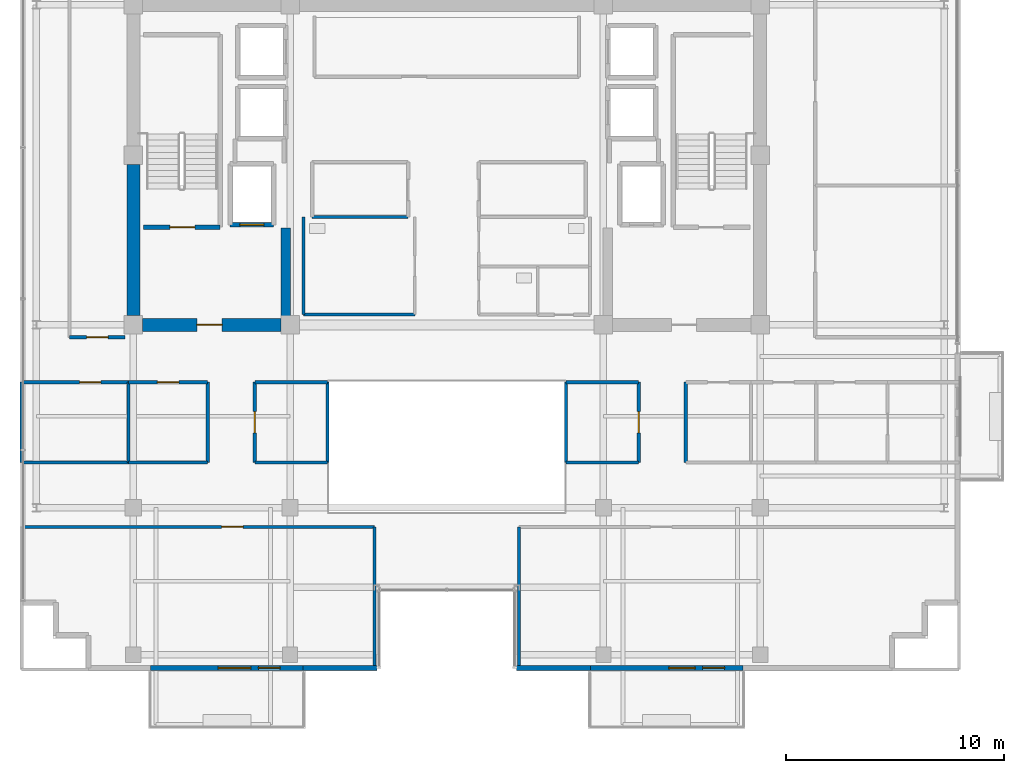
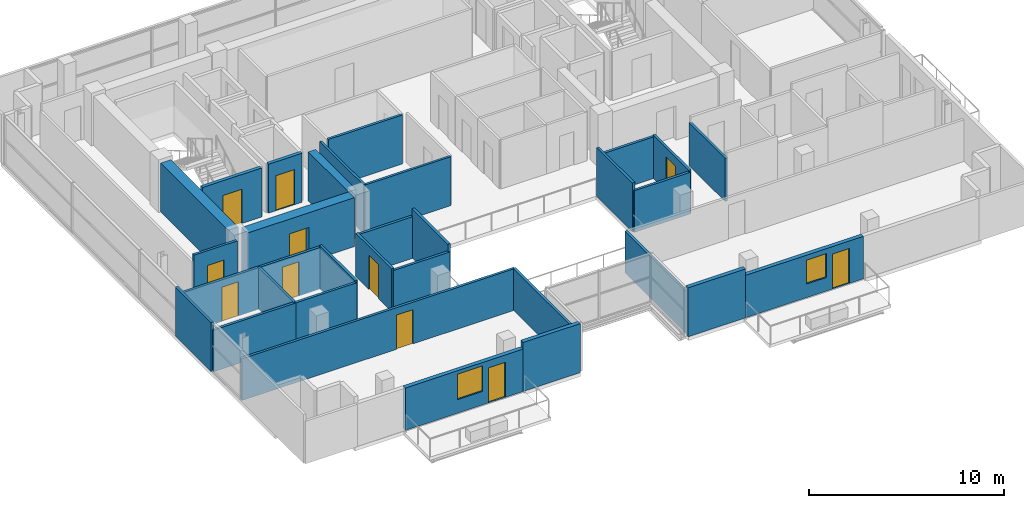
# One storey, part 15 of 22: 32 walls, 11 doors, 2 windows, 13 openings.
"""IFC4 building model written with IfcOpenShell, lengths in metres."""

from ifc_helpers import new_model, si_unit, direction, frame, frame_2d, origin, place, context, subcontext, project, spatial, rectangle, extrude, source, transform, mapped, material, layer, layer_set, type_object, element, fill, save


model = new_model("IFC4")

# Units and contexts
model_context = context("Model", 3, precision=1e-05, world=origin(), true_north=direction((0.0, 1.0)))
body_context = subcontext(model_context, "Body", "Model", "MODEL_VIEW")
ifc_project = project(units=[si_unit("LENGTHUNIT", "METRE"), si_unit("AREAUNIT", "SQUARE_METRE"), si_unit("VOLUMEUNIT", "CUBIC_METRE"), si_unit("PLANEANGLEUNIT", "RADIAN"), si_unit("MASSUNIT", "GRAM", prefix="KILO")], contexts=[model_context])

# Site, building, storey
site_placement = place(None, origin())
site = spatial("IfcSite", under=ifc_project, at=site_placement, CompositionType="ELEMENT")
building_placement = place(site_placement, origin())
building = spatial("IfcBuilding", under=site, at=building_placement, Name="Zarnakvel Exchange Tower", CompositionType="ELEMENT")
storey_placement = place(building_placement, frame((0.0, 0.0, 251.800048828125)))
storey = spatial("IfcBuildingStorey", under=building, at=storey_placement, Name="L71", CompositionType="ELEMENT", Elevation=251.800048828125)

# Wall
ifc_material_1 = material(Name="Concrete C50/60", Category="concrete")
ifc_layer_1 = layer(ifc_material_1, 0.60009765625)
ifc_layer_set_1 = layer_set([ifc_layer_1], Name="Concrete C50/60")
wall_type_1 = type_object("IfcWallType", Name="CW-C5", PredefinedType="SHEAR", material=ifc_layer_set_1)
wall_1_placement = place(storey_placement, frame((-14.39990234375, -0.77490234375, 0.0), z_axis=(0.0, 0.0, 1.0), x_axis=(0.0, 1.0, 0.0)))
element("IfcWall", 1, at=wall_1_placement, inside=storey, type_object=wall_type_1, Name="L71 Rear Core Shear Wall W1 (CW-C5)", PredefinedType="SHEAR", context=body_context, shape_type="SweptSolid", body=[
    extrude(rectangle(XDim=6.949951171875, YDim=0.60009765625, at=frame_2d((3.47509765625, 0.0))), origin(), (0.0, 0.0, 1.0), 3.074951171875),
])

# Wall, opening, door
wall_2_placement = place(storey_placement, frame((-7.625, -1.199951171875, 0.0), z_axis=(0.0, 0.0, 1.0), x_axis=(-1.0, 0.0, 0.0)))
wall_2 = element("IfcWall", 2, at=wall_2_placement, inside=storey, type_object=wall_type_1, Name="L71 Rear Core Shear Wall SW (CW-C5)", PredefinedType="SHEAR", context=body_context, shape_type="SweptSolid", body=[
    extrude(rectangle(XDim=6.35009765625, YDim=0.60009765625, at=frame_2d((3.175048828125, 0.0))), origin(), (0.0, 0.0, 1.0), 3.074951171875),
])
opening_1_placement = place(wall_2_placement, frame((2.699951171875, 0.0, 0.0)))
opening_1 = element("IfcOpeningElement", 3, at=opening_1_placement, cuts=wall_2, Name="Opening D-L71-03", PredefinedType="OPENING", context=body_context, shape_type="SweptSolid", body=[
    extrude(rectangle(XDim=1.14990234375, YDim=2.14990234375, at=frame_2d((0.574951171875, 1.074951171875))), frame((0.0, 0.31005859375, 0.0), z_axis=(0.0, -1.0, 0.0), x_axis=(1.0, 0.0, 0.0)), (0.0, 0.0, 1.0), 0.6201171875),
])
ifc_material_2 = material(Name="Painted Galvanised Steel S355", Category="steel")
door_type_1 = type_object("IfcDoorType", Name="DT-04", OperationType="NOTDEFINED", PredefinedType="DOOR", material=ifc_material_2)
shared_shape_1 = source(origin(), body_context, "Body", "SweptSolid", [
    extrude(rectangle(XDim=1.14990234375, YDim=2.14990234375, at=frame_2d((0.574951171875, 1.074951171875))), frame((0.0, 0.02490234375, 0.0), z_axis=(0.0, -1.0, 0.0), x_axis=(1.0, 0.0, 0.0)), (0.0, 0.0, 1.0), 0.050048828125),
])
door_1_placement = place(opening_1_placement, origin())
door_1 = element("IfcDoor", 4, at=door_1_placement, inside=storey, type_object=door_type_1, Name="L71 Firefighting Lobby West Door D-L71-03", OperationType="SINGLE_SWING_LEFT", OverallHeight=2.14990234375, OverallWidth=1.14990234375, PredefinedType="DOOR", context=body_context, shape_type="MappedRepresentation", body=[
    mapped(shared_shape_1, transform((0.0, 0.0, 0.0), x_axis=(1.0, 0.0, 0.0), y_axis=(0.0, 1.0, 0.0), z_axis=(0.0, 0.0, 1.0), scale=1.0)),
])
fill(opening_1, door_1)

# Wall
ifc_layer_2 = layer(ifc_material_1, 0.449951171875)
ifc_layer_set_2 = layer_set([ifc_layer_2], Name="Concrete C50/60")
wall_type_2 = type_object("IfcWallType", Name="CW-C6", PredefinedType="SHEAR", material=ifc_layer_set_2)
wall_3_placement = place(storey_placement, frame((-7.39990234375, -0.89990234375, 0.0), z_axis=(0.0, 0.0, 1.0), x_axis=(0.0, 1.0, 0.0)))
element("IfcWall", 5, at=wall_3_placement, inside=storey, type_object=wall_type_2, Name="L71 Rear Core Shear Wall IW (CW-C6)", PredefinedType="SHEAR", context=body_context, shape_type="SweptSolid", body=[
    extrude(rectangle(XDim=4.14990234375, YDim=0.449951171875, at=frame_2d((2.074951171875, 0.0))), origin(), (0.0, 0.0, 1.0), 3.074951171875),
])

# Wall, openings, door, window
ifc_material_3 = material(Name="Precast concrete C40/50", Category="concrete")
ifc_layer_3 = layer(ifc_material_3, 0.239990234375)
ifc_layer_set_3 = layer_set([ifc_layer_3], Name="Precast concrete C40/50")
wall_type_3 = type_object("IfcWallType", Name="EW-02", PredefinedType="SOLIDWALL", material=ifc_layer_set_3)
wall_4_placement = place(storey_placement, frame((-6.60009765625, -16.9599609375, 0.0), z_axis=(0.0, 0.0, 1.0), x_axis=(-1.0, 0.0, 0.0)))
wall_4 = element("IfcWall", 6, at=wall_4_placement, inside=storey, type_object=wall_type_3, Name="L71 Exterior Precast Spandrel Wall EW-BAL-L71-SW (EW-02)", PredefinedType="SOLIDWALL", context=body_context, shape_type="SweptSolid", body=[
    extrude(rectangle(XDim=7.0, YDim=0.239990234375, at=frame_2d((3.5, 0.0))), origin(), (0.0, 0.0, 1.0), 2.6650390625),
])
opening_2_placement = place(wall_4_placement, frame((1.050048828125, 0.0, 0.0)))
opening_2 = element("IfcOpeningElement", 7, at=opening_2_placement, cuts=wall_4, Name="Opening BD-L71-01", PredefinedType="OPENING", context=body_context, shape_type="SweptSolid", body=[
    extrude(rectangle(XDim=1.0, YDim=2.199951171875, at=frame_2d((0.5, 1.10009765625))), frame((0.0, 0.1298828125, 0.0), z_axis=(0.0, -1.0, 0.0), x_axis=(1.0, 0.0, 0.0)), (0.0, 0.0, 1.0), 0.260009765625),
])
opening_3_placement = place(wall_4_placement, frame((2.39990234375, 0.0, 0.85009765625)))
opening_3 = element("IfcOpeningElement", 8, at=opening_3_placement, cuts=wall_4, Name="Opening WN-03", PredefinedType="OPENING", context=body_context, shape_type="SweptSolid", body=[
    extrude(rectangle(XDim=1.5, YDim=1.60009765625, at=frame_2d((0.75, 0.800048828125))), frame((0.0, 0.1298828125, 0.0), z_axis=(0.0, -1.0, 0.0), x_axis=(1.0, 0.0, 0.0)), (0.0, 0.0, 1.0), 0.260009765625),
])
ifc_material_4 = material(Name="Architectural Bronze Anodised Aluminium", Category="aluminium")
door_type_2 = type_object("IfcDoorType", Name="DT-09", OperationType="NOTDEFINED", PredefinedType="DOOR", material=ifc_material_4)
shared_shape_2 = source(origin(), body_context, "Body", "SweptSolid", [
    extrude(rectangle(XDim=1.0, YDim=2.199951171875, at=frame_2d((0.5, 1.10009765625))), frame((0.0, 0.02490234375, 0.0), z_axis=(0.0, -1.0, 0.0), x_axis=(1.0, 0.0, 0.0)), (0.0, 0.0, 1.0), 0.050048828125),
])
door_2_placement = place(opening_2_placement, origin())
door_2 = element("IfcDoor", 9, at=door_2_placement, inside=storey, type_object=door_type_2, Name="L71 Planted Loggia Balcony Door BD-L71-01", OperationType="SINGLE_SWING_LEFT", OverallHeight=2.199951171875, OverallWidth=1.0, PredefinedType="DOOR", context=body_context, shape_type="MappedRepresentation", body=[
    mapped(shared_shape_2, transform((0.0, 0.0, 0.0), x_axis=(1.0, 0.0, 0.0), y_axis=(0.0, 1.0, 0.0), z_axis=(0.0, 0.0, 1.0), scale=1.0)),
])
fill(opening_2, door_2)
ifc_material_5 = material(Name="Double Low-E Laminated Vision Glass", Category="glass")
window_type_1 = type_object("IfcWindowType", Name="WN-03", PartitioningType="SINGLE_PANEL", PredefinedType="WINDOW", material=ifc_material_5)
shared_shape_3 = source(origin(), body_context, "Body", "SweptSolid", [
    extrude(rectangle(XDim=1.5, YDim=1.60009765625, at=frame_2d((0.75, 0.800048828125))), frame((0.0, 0.030029296875, 0.0), z_axis=(0.0, -1.0, 0.0), x_axis=(1.0, 0.0, 0.0)), (0.0, 0.0, 1.0), 0.06005859375),
])
window_1_placement = place(opening_3_placement, origin())
window_1 = element("IfcWindow", 10, at=window_1_placement, inside=storey, type_object=window_type_1, Name="L71 Loggia Daylight Window (WN-03)", OverallHeight=1.60009765625, OverallWidth=1.5, PartitioningType="SINGLE_PANEL", PredefinedType="WINDOW", context=body_context, shape_type="MappedRepresentation", body=[
    mapped(shared_shape_3, transform((0.0, 0.0, 0.0), x_axis=(1.0, 0.0, 0.0), y_axis=(0.0, 1.0, 0.0), z_axis=(0.0, 0.0, 1.0), scale=1.0)),
])
fill(opening_3, window_1)

wall_5_placement = place(storey_placement, frame((13.60009765625, -16.9599609375, 0.0), z_axis=(0.0, 0.0, 1.0), x_axis=(-1.0, 0.0, 0.0)))
wall_5 = element("IfcWall", 11, at=wall_5_placement, inside=storey, type_object=wall_type_3, Name="L71 Exterior Precast Spandrel Wall EW-BAL-L71-SE (EW-02)", PredefinedType="SOLIDWALL", context=body_context, shape_type="SweptSolid", body=[
    extrude(rectangle(XDim=7.0, YDim=0.239990234375, at=frame_2d((3.5, 0.0))), origin(), (0.0, 0.0, 1.0), 2.6650390625),
])
opening_4_placement = place(wall_5_placement, frame((0.840087890625, 0.0, 0.0)))
opening_4 = element("IfcOpeningElement", 12, at=opening_4_placement, cuts=wall_5, Name="Opening BD-L71-02", PredefinedType="OPENING", context=body_context, shape_type="SweptSolid", body=[
    extrude(rectangle(XDim=1.0, YDim=2.199951171875, at=frame_2d((0.5, 1.10009765625))), frame((0.0, 0.1298828125, 0.0), z_axis=(0.0, -1.0, 0.0), x_axis=(1.0, 0.0, 0.0)), (0.0, 0.0, 1.0), 0.260009765625),
])
opening_5_placement = place(wall_5_placement, frame((2.18994140625, 0.0, 0.85009765625)))
opening_5 = element("IfcOpeningElement", 13, at=opening_5_placement, cuts=wall_5, Name="Opening WN-04", PredefinedType="OPENING", context=body_context, shape_type="SweptSolid", body=[
    extrude(rectangle(XDim=1.199951171875, YDim=1.5, at=frame_2d((0.60009765625, 0.75))), frame((0.0, 0.1298828125, 0.0), z_axis=(0.0, -1.0, 0.0), x_axis=(1.0, 0.0, 0.0)), (0.0, 0.0, 1.0), 0.260009765625),
])
door_3_placement = place(opening_4_placement, origin())
door_3 = element("IfcDoor", 14, at=door_3_placement, inside=storey, type_object=door_type_2, Name="L71 Planted Loggia Balcony Door BD-L71-02", OperationType="SINGLE_SWING_RIGHT", OverallHeight=2.199951171875, OverallWidth=1.0, PredefinedType="DOOR", context=body_context, shape_type="MappedRepresentation", body=[
    mapped(shared_shape_2, transform((0.0, 0.0, 0.0), x_axis=(1.0, 0.0, 0.0), y_axis=(0.0, 1.0, 0.0), z_axis=(0.0, 0.0, 1.0), scale=1.0)),
])
fill(opening_4, door_3)
window_type_2 = type_object("IfcWindowType", Name="WN-04", PartitioningType="SINGLE_PANEL", PredefinedType="WINDOW", material=ifc_material_5)
shared_shape_4 = source(origin(), body_context, "Body", "SweptSolid", [
    extrude(rectangle(XDim=1.199951171875, YDim=1.5, at=frame_2d((0.60009765625, 0.75))), frame((0.0, 0.030029296875, 0.0), z_axis=(0.0, -1.0, 0.0), x_axis=(1.0, 0.0, 0.0)), (0.0, 0.0, 1.0), 0.06005859375),
])
window_2_placement = place(opening_5_placement, origin())
window_2 = element("IfcWindow", 15, at=window_2_placement, inside=storey, type_object=window_type_2, Name="L71 Loggia Daylight Window (WN-04)", OverallHeight=1.5, OverallWidth=1.199951171875, PartitioningType="SINGLE_PANEL", PredefinedType="WINDOW", context=body_context, shape_type="MappedRepresentation", body=[
    mapped(shared_shape_4, transform((0.0, 0.0, 0.0), x_axis=(1.0, 0.0, 0.0), y_axis=(0.0, 1.0, 0.0), z_axis=(0.0, 0.0, 1.0), scale=1.0)),
])
fill(opening_5, window_2)

# Walls
for number, where, z_axis, x_axis, name in (
    (16, (3.199951171875, -16.9599609375, 0.0), (0.0, 0.0, 1.0), (1.0, 0.0, 0.0), "L71 Exterior Precast Spandrel Wall EWC-L71-16 (EW-02)"),
    (17, (-6.60009765625, -16.9599609375, 0.0), (0.0, 0.0, 1.0), (1.0, 0.0, 0.0), "L71 Exterior Precast Spandrel Wall EWC-L71-21 (EW-02)"),
):
    element("IfcWall", number, at=place(storey_placement, frame(where, z_axis=z_axis, x_axis=x_axis)), inside=storey, type_object=wall_type_3, Name=name, PredefinedType="SOLIDWALL", context=body_context, shape_type="SweptSolid", body=[
        extrude(rectangle(XDim=3.400146484375, YDim=0.239990234375, at=frame_2d((1.7001953125, 0.0))), origin(), (0.0, 0.0, 1.0), 3.074951171875),
    ])
ifc_material_6 = material(Name="Fire-Rated Gypsum Stud Partition", Category="gypsum")
ifc_layer_4 = layer(ifc_material_6, 0.14990234375)
ifc_layer_set_4 = layer_set([ifc_layer_4], Name="Fire-Rated Gypsum Stud Partition")
wall_type_4 = type_object("IfcWallType", Name="PT-01", PredefinedType="PARTITIONING", material=ifc_layer_set_4)
wall_6_placement = place(storey_placement, frame((-1.77001953125, 3.760009765625, 0.0), z_axis=(0.0, 0.0, 1.0), x_axis=(-1.0, 0.0, 0.0)))
element("IfcWall", 18, at=wall_6_placement, inside=storey, type_object=wall_type_4, Name="L71 Partition Wall PWALL-L71-014 (PT-01)", PredefinedType="PARTITIONING", context=body_context, shape_type="SweptSolid", body=[
    extrude(rectangle(XDim=4.409912109375, YDim=0.14990234375, at=frame_2d((2.205078125, 0.0))), origin(), (0.0, 0.0, 1.0), 3.074951171875),
])
wall_7_placement = place(storey_placement, frame((-14.621826171875, -7.52001953125, 0.0), z_axis=(0.0, 0.0, 1.0), x_axis=(-1.0, 0.0, 0.0)))
element("IfcWall", 19, at=wall_7_placement, inside=storey, type_object=wall_type_4, Name="L71 Partition Wall PWALL-L71-033 (PT-01)", PredefinedType="PARTITIONING", context=body_context, shape_type="SweptSolid", body=[
    extrude(rectangle(XDim=4.908203125, YDim=0.14990234375, at=frame_2d((2.4541015625, 0.0))), origin(), (0.0, 0.0, 1.0), 2.614990234375),
])

# Wall, opening, door
wall_8_placement = place(storey_placement, frame((-19.530029296875, -3.830078125, 0.0), z_axis=(0.0, 0.0, 1.0), x_axis=(1.0, 0.0, 0.0)))
wall_8 = element("IfcWall", 20, at=wall_8_placement, inside=storey, type_object=wall_type_4, Name="L71 Partition Wall PWALL-L71-034 (PT-01)", PredefinedType="PARTITIONING", context=body_context, shape_type="SweptSolid", body=[
    extrude(rectangle(XDim=4.908203125, YDim=0.14990234375, at=frame_2d((2.4541015625, 0.0))), origin(), (0.0, 0.0, 1.0), 2.614990234375),
])
opening_6_placement = place(wall_8_placement, frame((2.6640625, 0.0, 0.0)))
opening_6 = element("IfcOpeningElement", 21, at=opening_6_placement, cuts=wall_8, Name="Opening D-L71-12", PredefinedType="OPENING", context=body_context, shape_type="SweptSolid", body=[
    extrude(rectangle(XDim=0.97998046875, YDim=2.14990234375, at=frame_2d((0.489990234375, 1.074951171875))), frame((0.0, 0.0849609375, 0.0), z_axis=(0.0, -1.0, 0.0), x_axis=(1.0, 0.0, 0.0)), (0.0, 0.0, 1.0), 0.169921875),
])
ifc_material_7 = material(Name="Timber Acoustic Veneer", Category="wood")
door_type_3 = type_object("IfcDoorType", Name="DT-05", OperationType="NOTDEFINED", PredefinedType="DOOR", material=ifc_material_7)
shared_shape_5 = source(origin(), body_context, "Body", "SweptSolid", [
    extrude(rectangle(XDim=0.97998046875, YDim=2.14990234375, at=frame_2d((0.489990234375, 1.074951171875))), frame((0.0, 0.02490234375, 0.0), z_axis=(0.0, -1.0, 0.0), x_axis=(1.0, 0.0, 0.0)), (0.0, 0.0, 1.0), 0.050048828125),
])
door_4_placement = place(opening_6_placement, origin())
door_4 = element("IfcDoor", 22, at=door_4_placement, inside=storey, type_object=door_type_3, Name="L71 Sovereign Wealth Office Door D-L71-12", OperationType="SINGLE_SWING_RIGHT", OverallHeight=2.14990234375, OverallWidth=0.97998046875, PredefinedType="DOOR", context=body_context, shape_type="MappedRepresentation", body=[
    mapped(shared_shape_5, transform((0.0, 0.0, 0.0), x_axis=(1.0, 0.0, 0.0), y_axis=(0.0, 1.0, 0.0), z_axis=(0.0, 0.0, 1.0), scale=1.0)),
])
fill(opening_6, door_4)

# Walls
wall_9_placement = place(storey_placement, frame((-19.530029296875, -7.52001953125, 0.0), z_axis=(0.0, 0.0, 1.0), x_axis=(0.0, 1.0, 0.0)))
element("IfcWall", 23, at=wall_9_placement, inside=storey, type_object=wall_type_4, Name="L71 Partition Wall PWALL-L71-035 (PT-01)", PredefinedType="PARTITIONING", context=body_context, shape_type="SweptSolid", body=[
    extrude(rectangle(XDim=3.68994140625, YDim=0.14990234375, at=frame_2d((1.844970703125, 0.0))), origin(), (0.0, 0.0, 1.0), 3.074951171875),
])
wall_10_placement = place(storey_placement, frame((-14.621826171875, -3.830078125, 0.0), z_axis=(0.0, 0.0, 1.0), x_axis=(0.0, -1.0, 0.0)))
element("IfcWall", 24, at=wall_10_placement, inside=storey, type_object=wall_type_4, Name="L71 Partition Wall PWALL-L71-036 (PT-01)", PredefinedType="PARTITIONING", context=body_context, shape_type="SweptSolid", body=[
    extrude(rectangle(XDim=3.68994140625, YDim=0.14990234375, at=frame_2d((1.844970703125, 0.0))), origin(), (0.0, 0.0, 1.0), 2.614990234375),
])
wall_11_placement = place(storey_placement, frame((-10.97998046875, -7.52001953125, 0.0), z_axis=(0.0, 0.0, 1.0), x_axis=(-1.0, 0.0, 0.0)))
element("IfcWall", 25, at=wall_11_placement, inside=storey, type_object=wall_type_4, Name="L71 Partition Wall PWALL-L71-037 (PT-01)", PredefinedType="PARTITIONING", context=body_context, shape_type="SweptSolid", body=[
    extrude(rectangle(XDim=3.641845703125, YDim=0.14990234375, at=frame_2d((1.82080078125, 0.0))), origin(), (0.0, 0.0, 1.0), 2.614990234375),
])

# Wall, opening, door
wall_12_placement = place(storey_placement, frame((-14.621826171875, -3.830078125, 0.0), z_axis=(0.0, 0.0, 1.0), x_axis=(1.0, 0.0, 0.0)))
wall_12 = element("IfcWall", 26, at=wall_12_placement, inside=storey, type_object=wall_type_4, Name="L71 Partition Wall PWALL-L71-038 (PT-01)", PredefinedType="PARTITIONING", context=body_context, shape_type="SweptSolid", body=[
    extrude(rectangle(XDim=3.641845703125, YDim=0.14990234375, at=frame_2d((1.82080078125, 0.0))), origin(), (0.0, 0.0, 1.0), 2.614990234375),
])
opening_7_placement = place(wall_12_placement, frame((1.330810546875, 0.0, 0.0)))
opening_7 = element("IfcOpeningElement", 27, at=opening_7_placement, cuts=wall_12, Name="Opening D-L71-13", PredefinedType="OPENING", context=body_context, shape_type="SweptSolid", body=[
    extrude(rectangle(XDim=0.97998046875, YDim=2.14990234375, at=frame_2d((0.489990234375, 1.074951171875))), frame((0.0, 0.0849609375, 0.0), z_axis=(0.0, -1.0, 0.0), x_axis=(1.0, 0.0, 0.0)), (0.0, 0.0, 1.0), 0.169921875),
])
door_5_placement = place(opening_7_placement, origin())
door_5 = element("IfcDoor", 28, at=door_5_placement, inside=storey, type_object=door_type_3, Name="L71 Corporate Advisory Suite Door D-L71-13", OperationType="SINGLE_SWING_LEFT", OverallHeight=2.14990234375, OverallWidth=0.97998046875, PredefinedType="DOOR", context=body_context, shape_type="MappedRepresentation", body=[
    mapped(shared_shape_5, transform((0.0, 0.0, 0.0), x_axis=(1.0, 0.0, 0.0), y_axis=(0.0, 1.0, 0.0), z_axis=(0.0, 0.0, 1.0), scale=1.0)),
])
fill(opening_7, door_5)

# Wall
wall_13_placement = place(storey_placement, frame((-10.97998046875, -3.830078125, 0.0), z_axis=(0.0, 0.0, 1.0), x_axis=(0.0, -1.0, 0.0)))
element("IfcWall", 29, at=wall_13_placement, inside=storey, type_object=wall_type_4, Name="L71 Partition Wall PWALL-L71-039 (PT-01)", PredefinedType="PARTITIONING", context=body_context, shape_type="SweptSolid", body=[
    extrude(rectangle(XDim=3.68994140625, YDim=0.14990234375, at=frame_2d((1.844970703125, 0.0))), origin(), (0.0, 0.0, 1.0), 2.704833984375),
])

# Wall, opening, door
wall_14_placement = place(storey_placement, frame((-19.530029296875, -10.47998046875, 0.0), z_axis=(0.0, 0.0, 1.0), x_axis=(1.0, 0.0, 0.0)))
wall_14 = element("IfcWall", 30, at=wall_14_placement, inside=storey, type_object=wall_type_4, Name="L71 Partition Wall PWALL-L71-041 (PT-01)", PredefinedType="PARTITIONING", context=body_context, shape_type="SweptSolid", body=[
    extrude(rectangle(XDim=16.2099609375, YDim=0.14990234375, at=frame_2d((8.10498046875, 0.0))), origin(), (0.0, 0.0, 1.0), 2.614990234375),
])
opening_8_placement = place(wall_14_placement, frame((9.18994140625, 0.0, 0.0)))
opening_8 = element("IfcOpeningElement", 31, at=opening_8_placement, cuts=wall_14, Name="Opening D-L71-14", PredefinedType="OPENING", context=body_context, shape_type="SweptSolid", body=[
    extrude(rectangle(XDim=0.97998046875, YDim=2.14990234375, at=frame_2d((0.489990234375, 1.074951171875))), frame((0.0, 0.0849609375, 0.0), z_axis=(0.0, -1.0, 0.0), x_axis=(1.0, 0.0, 0.0)), (0.0, 0.0, 1.0), 0.169921875),
])
door_6_placement = place(opening_8_placement, origin())
door_6 = element("IfcDoor", 32, at=door_6_placement, inside=storey, type_object=door_type_3, Name="L71 Sovereign Wealth Office Door D-L71-14", OperationType="SINGLE_SWING_RIGHT", OverallHeight=2.14990234375, OverallWidth=0.97998046875, PredefinedType="DOOR", context=body_context, shape_type="MappedRepresentation", body=[
    mapped(shared_shape_5, transform((0.0, 0.0, 0.0), x_axis=(1.0, 0.0, 0.0), y_axis=(0.0, 1.0, 0.0), z_axis=(0.0, 0.0, 1.0), scale=1.0)),
])
fill(opening_8, door_6)

# Walls
wall_15_placement = place(storey_placement, frame((-3.320068359375, -10.47998046875, 0.0), z_axis=(0.0, 0.0, 1.0), x_axis=(0.0, -1.0, 0.0)))
element("IfcWall", 33, at=wall_15_placement, inside=storey, type_object=wall_type_4, Name="L71 Partition Wall PWALL-L71-043 (PT-01)", PredefinedType="PARTITIONING", context=body_context, shape_type="SweptSolid", body=[
    extrude(rectangle(XDim=6.550048828125, YDim=0.14990234375, at=frame_2d((3.27490234375, 0.0))), origin(), (0.0, 0.0, 1.0), 2.614990234375),
])
wall_16_placement = place(storey_placement, frame((10.97998046875, -7.52001953125, 0.0), z_axis=(0.0, 0.0, 1.0), x_axis=(0.0, 1.0, 0.0)))
element("IfcWall", 34, at=wall_16_placement, inside=storey, type_object=wall_type_4, Name="L71 Partition Wall PWALL-L71-046 (PT-01)", PredefinedType="PARTITIONING", context=body_context, shape_type="SweptSolid", body=[
    extrude(rectangle(XDim=3.68994140625, YDim=0.14990234375, at=frame_2d((1.844970703125, 0.0))), origin(), (0.0, 0.0, 1.0), 2.704833984375),
])
wall_17_placement = place(storey_placement, frame((3.320068359375, -17.030029296875, 0.0), z_axis=(0.0, 0.0, 1.0), x_axis=(0.0, 1.0, 0.0)))
element("IfcWall", 35, at=wall_17_placement, inside=storey, type_object=wall_type_4, Name="L71 Partition Wall PWALL-L71-059 (PT-01)", PredefinedType="PARTITIONING", context=body_context, shape_type="SweptSolid", body=[
    extrude(rectangle(XDim=6.550048828125, YDim=0.14990234375, at=frame_2d((3.27490234375, 0.0))), origin(), (0.0, 0.0, 1.0), 2.614990234375),
])
for number, where, z_axis, x_axis, name in (
    (36, (-5.47998046875, -7.52001953125, 0.0), (0.0, 0.0, 1.0), (-1.0, 0.0, 0.0), "L71 Partition Wall PWALL-L71-061 (PT-01)"),
    (37, (-8.820068359375, -3.830078125, 0.0), (0.0, 0.0, 1.0), (1.0, 0.0, 0.0), "L71 Partition Wall PWALL-L71-062 (PT-01)"),
):
    element("IfcWall", number, at=place(storey_placement, frame(where, z_axis=z_axis, x_axis=x_axis)), inside=storey, type_object=wall_type_4, Name=name, PredefinedType="PARTITIONING", context=body_context, shape_type="SweptSolid", body=[
        extrude(rectangle(XDim=3.340087890625, YDim=0.14990234375, at=frame_2d((1.669921875, 0.0))), origin(), (0.0, 0.0, 1.0), 2.614990234375),
    ])

# Wall, opening, door
wall_18_placement = place(storey_placement, frame((-8.820068359375, -7.52001953125, 0.0), z_axis=(0.0, 0.0, 1.0), x_axis=(0.0, 1.0, 0.0)))
wall_18 = element("IfcWall", 38, at=wall_18_placement, inside=storey, type_object=wall_type_4, Name="L71 Partition Wall PWALL-L71-063 (PT-01)", PredefinedType="PARTITIONING", context=body_context, shape_type="SweptSolid", body=[
    extrude(rectangle(XDim=3.68994140625, YDim=0.14990234375, at=frame_2d((1.844970703125, 0.0))), origin(), (0.0, 0.0, 1.0), 2.704833984375),
])
opening_9_placement = place(wall_18_placement, frame((1.35498046875, 0.0, 0.0)))
opening_9 = element("IfcOpeningElement", 39, at=opening_9_placement, cuts=wall_18, Name="Opening D-L71-20", PredefinedType="OPENING", context=body_context, shape_type="SweptSolid", body=[
    extrude(rectangle(XDim=0.97998046875, YDim=2.14990234375, at=frame_2d((0.489990234375, 1.074951171875))), frame((0.0, 0.0849609375, 0.0), z_axis=(0.0, -1.0, 0.0), x_axis=(1.0, 0.0, 0.0)), (0.0, 0.0, 1.0), 0.169921875),
])
door_7_placement = place(opening_9_placement, origin())
door_7 = element("IfcDoor", 40, at=door_7_placement, inside=storey, type_object=door_type_3, Name="L71 Executive Pantry Door D-L71-20", OperationType="SINGLE_SWING_RIGHT", OverallHeight=2.14990234375, OverallWidth=0.97998046875, PredefinedType="DOOR", context=body_context, shape_type="MappedRepresentation", body=[
    mapped(shared_shape_5, transform((0.0, 0.0, 0.0), x_axis=(1.0, 0.0, 0.0), y_axis=(0.0, 1.0, 0.0), z_axis=(0.0, 0.0, 1.0), scale=1.0)),
])
fill(opening_9, door_7)

# Walls
wall_19_placement = place(storey_placement, frame((-5.47998046875, -3.830078125, 0.0), z_axis=(0.0, 0.0, 1.0), x_axis=(0.0, -1.0, 0.0)))
element("IfcWall", 41, at=wall_19_placement, inside=storey, type_object=wall_type_4, Name="L71 Partition Wall PWALL-L71-064 (PT-01)", PredefinedType="PARTITIONING", context=body_context, shape_type="SweptSolid", body=[
    extrude(rectangle(XDim=3.68994140625, YDim=0.14990234375, at=frame_2d((1.844970703125, 0.0))), origin(), (0.0, 0.0, 1.0), 3.074951171875),
])
for number, where, z_axis, x_axis, name in (
    (42, (8.820068359375, -7.52001953125, 0.0), (0.0, 0.0, 1.0), (-1.0, 0.0, 0.0), "L71 Partition Wall PWALL-L71-065 (PT-01)"),
    (43, (5.47998046875, -3.830078125, 0.0), (0.0, 0.0, 1.0), (1.0, 0.0, 0.0), "L71 Partition Wall PWALL-L71-066 (PT-01)"),
):
    element("IfcWall", number, at=place(storey_placement, frame(where, z_axis=z_axis, x_axis=x_axis)), inside=storey, type_object=wall_type_4, Name=name, PredefinedType="PARTITIONING", context=body_context, shape_type="SweptSolid", body=[
        extrude(rectangle(XDim=3.340087890625, YDim=0.14990234375, at=frame_2d((1.669921875, 0.0))), origin(), (0.0, 0.0, 1.0), 2.614990234375),
    ])
wall_20_placement = place(storey_placement, frame((5.47998046875, -7.52001953125, 0.0), z_axis=(0.0, 0.0, 1.0), x_axis=(0.0, 1.0, 0.0)))
element("IfcWall", 44, at=wall_20_placement, inside=storey, type_object=wall_type_4, Name="L71 Partition Wall PWALL-L71-067 (PT-01)", PredefinedType="PARTITIONING", context=body_context, shape_type="SweptSolid", body=[
    extrude(rectangle(XDim=3.68994140625, YDim=0.14990234375, at=frame_2d((1.844970703125, 0.0))), origin(), (0.0, 0.0, 1.0), 3.074951171875),
])

# Wall, opening, door
wall_21_placement = place(storey_placement, frame((8.820068359375, -3.830078125, 0.0), z_axis=(0.0, 0.0, 1.0), x_axis=(0.0, -1.0, 0.0)))
wall_21 = element("IfcWall", 45, at=wall_21_placement, inside=storey, type_object=wall_type_4, Name="L71 Partition Wall PWALL-L71-068 (PT-01)", PredefinedType="PARTITIONING", context=body_context, shape_type="SweptSolid", body=[
    extrude(rectangle(XDim=3.68994140625, YDim=0.14990234375, at=frame_2d((1.844970703125, 0.0))), origin(), (0.0, 0.0, 1.0), 2.704833984375),
])
opening_10_placement = place(wall_21_placement, frame((1.35498046875, 0.0, 0.0)))
opening_10 = element("IfcOpeningElement", 46, at=opening_10_placement, cuts=wall_21, Name="Opening D-L71-21", PredefinedType="OPENING", context=body_context, shape_type="SweptSolid", body=[
    extrude(rectangle(XDim=0.97998046875, YDim=2.14990234375, at=frame_2d((0.489990234375, 1.074951171875))), frame((0.0, 0.0849609375, 0.0), z_axis=(0.0, -1.0, 0.0), x_axis=(1.0, 0.0, 0.0)), (0.0, 0.0, 1.0), 0.169921875),
])
door_8_placement = place(opening_10_placement, origin())
door_8 = element("IfcDoor", 47, at=door_8_placement, inside=storey, type_object=door_type_3, Name="L71 Legal Records Office Door D-L71-21", OperationType="SINGLE_SWING_LEFT", OverallHeight=2.14990234375, OverallWidth=0.97998046875, PredefinedType="DOOR", context=body_context, shape_type="MappedRepresentation", body=[
    mapped(shared_shape_5, transform((0.0, 0.0, 0.0), x_axis=(1.0, 0.0, 0.0), y_axis=(0.0, 1.0, 0.0), z_axis=(0.0, 0.0, 1.0), scale=1.0)),
])
fill(opening_10, door_8)

wall_22_placement = place(storey_placement, frame((-14.77001953125, -1.77001953125, 0.0), z_axis=(0.0, 0.0, 1.0), x_axis=(-1.0, 0.0, 0.0)))
wall_22 = element("IfcWall", 48, at=wall_22_placement, inside=storey, type_object=wall_type_4, Name="L71 Partition Wall PWALL-L71-069 (PT-01)", PredefinedType="PARTITIONING", context=body_context, shape_type="SweptSolid", body=[
    extrude(rectangle(XDim=2.56494140625, YDim=0.14990234375, at=frame_2d((1.282470703125, 0.0))), origin(), (0.0, 0.0, 1.0), 3.074951171875),
])
opening_11_placement = place(wall_22_placement, frame((0.7919921875, 0.0, 0.0)))
opening_11 = element("IfcOpeningElement", 49, at=opening_11_placement, cuts=wall_22, Name="Opening D-L71-22", PredefinedType="OPENING", context=body_context, shape_type="SweptSolid", body=[
    extrude(rectangle(XDim=0.97998046875, YDim=2.14990234375, at=frame_2d((0.489990234375, 1.074951171875))), frame((0.0, 0.0849609375, 0.0), z_axis=(0.0, -1.0, 0.0), x_axis=(1.0, 0.0, 0.0)), (0.0, 0.0, 1.0), 0.169921875),
])
door_9_placement = place(opening_11_placement, origin())
door_9 = element("IfcDoor", 50, at=door_9_placement, inside=storey, type_object=door_type_3, Name="L71 Executive Pantry Door D-L71-22", OperationType="SINGLE_SWING_RIGHT", OverallHeight=2.14990234375, OverallWidth=0.97998046875, PredefinedType="DOOR", context=body_context, shape_type="MappedRepresentation", body=[
    mapped(shared_shape_5, transform((0.0, 0.0, 0.0), x_axis=(1.0, 0.0, 0.0), y_axis=(0.0, 1.0, 0.0), z_axis=(0.0, 0.0, 1.0), scale=1.0)),
])
fill(opening_11, door_9)

# Walls
ifc_material_8 = material(Name="Moisture-Resistant Tile-Faced Partition", Category="gypsum")
ifc_layer_5 = layer(ifc_material_8, 0.135009765625)
ifc_layer_set_5 = layer_set([ifc_layer_5], Name="Moisture-Resistant Tile-Faced Partition")
wall_type_5 = type_object("IfcWallType", Name="PT-03", PredefinedType="PARTITIONING", material=ifc_layer_set_5)
wall_23_placement = place(storey_placement, frame((-1.469970703125, -0.72998046875, 0.0), z_axis=(0.0, 0.0, 1.0), x_axis=(-1.0, 0.0, 0.0)))
element("IfcWall", 51, at=wall_23_placement, inside=storey, type_object=wall_type_5, Name="L71 Partition Wall PWALL-L71-022 (PT-03)", PredefinedType="PARTITIONING", context=body_context, shape_type="SweptSolid", body=[
    extrude(rectangle(XDim=5.110107421875, YDim=0.135009765625, at=frame_2d((2.55517578125, 0.0))), origin(), (0.0, 0.0, 1.0), 3.074951171875),
])
wall_24_placement = place(storey_placement, frame((-6.580078125, -0.72998046875, 0.0), z_axis=(0.0, 0.0, 1.0), x_axis=(0.0, 1.0, 0.0)))
element("IfcWall", 52, at=wall_24_placement, inside=storey, type_object=wall_type_5, Name="L71 Partition Wall PWALL-L71-023 (PT-03)", PredefinedType="PARTITIONING", context=body_context, shape_type="SweptSolid", body=[
    extrude(rectangle(XDim=4.489990234375, YDim=0.135009765625, at=frame_2d((2.2451171875, 0.0))), origin(), (0.0, 0.0, 1.0), 3.074951171875),
])

# Wall, opening, door
ifc_material_9 = material(Name="Concrete C40/50", Category="concrete")
ifc_layer_6 = layer(ifc_material_9, 0.199951171875)
ifc_layer_set_6 = layer_set([ifc_layer_6], Name="Concrete C40/50")
wall_type_6 = type_object("IfcWallType", Name="SW-01", PredefinedType="SOLIDWALL", material=ifc_layer_set_6)
wall_25_placement = place(storey_placement, frame((-7.949951171875, 3.39990234375, 0.0), z_axis=(0.0, 0.0, 1.0), x_axis=(-1.0, 0.0, 0.0)))
wall_25 = element("IfcWall", 53, at=wall_25_placement, inside=storey, type_object=wall_type_6, Name="L71 FL-01 Hoistway Wall South", PredefinedType="SOLIDWALL", context=body_context, shape_type="SweptSolid", body=[
    extrude(rectangle(XDim=2.0, YDim=0.199951171875, at=frame_2d((1.0, 0.0))), origin(), (0.0, 0.0, 1.0), 3.074951171875),
])
opening_12_placement = place(wall_25_placement, frame((0.449951171875, 0.0, 0.0)))
opening_12 = element("IfcOpeningElement", 54, at=opening_12_placement, cuts=wall_25, Name="Opening LD-FL-01-L71", PredefinedType="OPENING", context=body_context, shape_type="SweptSolid", body=[
    extrude(rectangle(XDim=1.10009765625, YDim=2.199951171875, at=frame_2d((0.550048828125, 1.10009765625))), frame((0.0, 0.10986328125, 0.0), z_axis=(0.0, -1.0, 0.0), x_axis=(1.0, 0.0, 0.0)), (0.0, 0.0, 1.0), 0.219970703125),
])
ifc_material_10 = material(Name="Brushed Stainless Steel", Category="steel")
door_type_4 = type_object("IfcDoorType", Name="LDT-01", OperationType="NOTDEFINED", PredefinedType="DOOR", material=ifc_material_10)
shared_shape_6 = source(origin(), body_context, "Body", "SweptSolid", [
    extrude(rectangle(XDim=1.10009765625, YDim=2.199951171875, at=frame_2d((0.550048828125, 1.10009765625))), frame((0.0, 0.02490234375, 0.0), z_axis=(0.0, -1.0, 0.0), x_axis=(1.0, 0.0, 0.0)), (0.0, 0.0, 1.0), 0.050048828125),
])
door_10_placement = place(opening_12_placement, origin())
door_10 = element("IfcDoor", 55, at=door_10_placement, inside=storey, type_object=door_type_4, Name="L71 FL-01 Lift Landing Door LD-FL-01-L71", OperationType="DOUBLE_DOOR_SLIDING", OverallHeight=2.199951171875, OverallWidth=1.10009765625, PredefinedType="DOOR", context=body_context, shape_type="MappedRepresentation", body=[
    mapped(shared_shape_6, transform((0.0, 0.0, 0.0), x_axis=(1.0, 0.0, 0.0), y_axis=(0.0, 1.0, 0.0), z_axis=(0.0, 0.0, 1.0), scale=1.0)),
])
fill(opening_12, door_10)

ifc_layer_7 = layer(ifc_material_9, 0.199951171875)
ifc_layer_set_7 = layer_set([ifc_layer_7], Name="Concrete C40/50")
wall_type_7 = type_object("IfcWallType", Name="SW-02", PredefinedType="SOLIDWALL", material=ifc_layer_set_7)
wall_26_placement = place(storey_placement, frame((-10.409912109375, 3.2900390625, 0.0), z_axis=(0.0, 0.0, 1.0), x_axis=(-1.0, 0.0, 0.0)))
wall_26 = element("IfcWall", 56, at=wall_26_placement, inside=storey, type_object=wall_type_7, Name="L71 Stairwell Core Wall PWALL-L71-001 (SW-02)", PredefinedType="SOLIDWALL", context=body_context, shape_type="SweptSolid", body=[
    extrude(rectangle(XDim=3.52001953125, YDim=0.199951171875, at=frame_2d((1.760009765625, 0.0))), origin(), (0.0, 0.0, 1.0), 3.074951171875),
])
opening_13_placement = place(wall_26_placement, frame((1.1650390625, 0.0, 0.0)))
opening_13 = element("IfcOpeningElement", 57, at=opening_13_placement, cuts=wall_26, Name="Opening D-L71-01", PredefinedType="OPENING", context=body_context, shape_type="SweptSolid", body=[
    extrude(rectangle(XDim=1.14990234375, YDim=2.14990234375, at=frame_2d((0.574951171875, 1.074951171875))), frame((0.0, 0.10986328125, 0.0), z_axis=(0.0, -1.0, 0.0), x_axis=(1.0, 0.0, 0.0)), (0.0, 0.0, 1.0), 0.219970703125),
])
door_11_placement = place(opening_13_placement, origin())
door_11 = element("IfcDoor", 58, at=door_11_placement, inside=storey, type_object=door_type_1, Name="L71 Stairwell ST-01 Door D-L71-01", OperationType="SINGLE_SWING_LEFT", OverallHeight=2.14990234375, OverallWidth=1.14990234375, PredefinedType="DOOR", context=body_context, shape_type="MappedRepresentation", body=[
    mapped(shared_shape_1, transform((0.0, 0.0, 0.0), x_axis=(1.0, 0.0, 0.0), y_axis=(0.0, 1.0, 0.0), z_axis=(0.0, 0.0, 1.0), scale=1.0)),
])
fill(opening_13, door_11)

save(model, "model.ifc")
